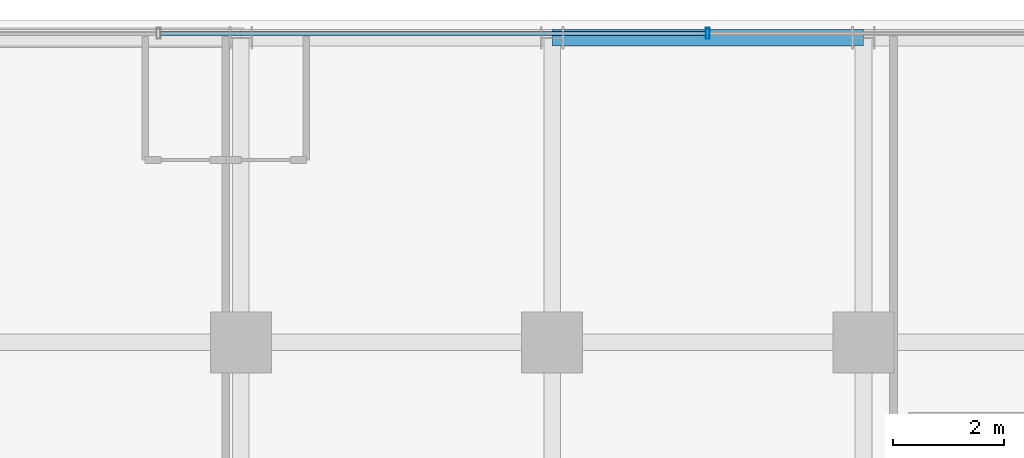
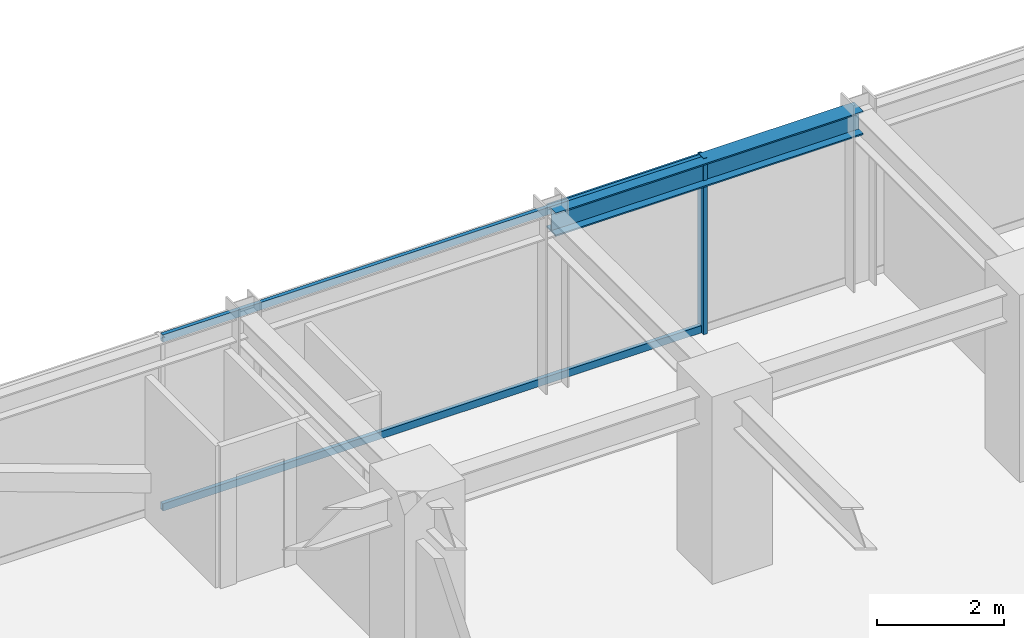
# One storey, part 24 of 36: 3 members, 1 beam, 1 element without a shape of its own.
"""IFC4 building model written with IfcOpenShell, lengths in metres."""

from ifc_helpers import new_model, si_unit, direction, frame, origin, origin_2d, place, context, subcontext, project, spatial, hollow_rectangle, i_section, extrude, source, transform, mapped, material, material_profile, profile_set, type_object, element, aggregate, save


model = new_model("IFC4")

# Units and contexts
model_context = context("Model", 3, precision=1e-05, world=origin(), true_north=direction((0.0, 1.0)))
body_context = subcontext(model_context, "Body", "Model", "MODEL_VIEW")
ifc_project = project(units=[si_unit("LENGTHUNIT", "METRE"), si_unit("AREAUNIT", "SQUARE_METRE"), si_unit("VOLUMEUNIT", "CUBIC_METRE"), si_unit("PLANEANGLEUNIT", "RADIAN"), si_unit("MASSUNIT", "GRAM", prefix="KILO")], contexts=[model_context])

# Site, building, storey
site_placement = place(None, origin())
site = spatial("IfcSite", under=ifc_project, at=site_placement, CompositionType="ELEMENT")
building_placement = place(site_placement, origin())
building = spatial("IfcBuilding", under=site, at=building_placement, Name="Nahalor Promenade Grand Hotel", CompositionType="ELEMENT")
storey_placement = place(building_placement, frame((0.0, 0.0, 170.89990234375)))
storey = spatial("IfcBuildingStorey", under=building, at=storey_placement, Name="L43", CompositionType="ELEMENT", Elevation=170.89990234375)

# Beam
ifc_material_1 = material(Name="Steel S355JR", Category="steel")
ifc_material_profile_1 = material_profile(ifc_material_1, i_section(OverallWidth=0.3, OverallDepth=0.45, WebThickness=0.014, FlangeThickness=0.026, at=origin_2d()), Name="HEB 450")
ifc_profile_set_1 = profile_set([ifc_material_profile_1], Name="Steel S355JR")
beam_type = type_object("IfcBeamType", Name="Beam-Spandrel-HEB450", PredefinedType="SPANDREL", material=ifc_profile_set_1)
shared_shape_1 = source(origin(), body_context, "Body", "SweptSolid", [
    extrude(i_section(OverallWidth=0.3, OverallDepth=0.45, WebThickness=0.014, FlangeThickness=0.026, at=origin_2d()), origin(), (0.0, 0.0, 1.0), 5.60009765625),
])
beam_placement = place(storey_placement, frame((-2.800048828125, 22.47998046875, 3.1650390625), z_axis=(1.0, 0.0, 0.0), x_axis=(0.0, 1.0, 0.0)))
element("IfcBeam", 1, at=beam_placement, inside=storey, type_object=beam_type, Name="BM-L43-SP-N-2", PredefinedType="SPANDREL", context=body_context, shape_type="MappedRepresentation", body=[
    mapped(shared_shape_1, transform((0.0, 0.0, 0.0), scale=1.0)),
])

# Curtain wall, members
ifc_material_2 = material(Name="Anodised Bronze Aluminium EN AW-6063 T6", Category="aluminium")
curtain_wall_type = type_object("IfcCurtainWallType", Name="CW3 Elliptical-Void Collar Unitised Curtain Wall", PredefinedType="USERDEFINED", material=ifc_material_2)
curtain_wall_placement = place(storey_placement, origin())
curtain_wall = element("IfcCurtainWall", 2, at=curtain_wall_placement, inside=storey, type_object=curtain_wall_type, Name="L43 Curtain Wall CW-L43-N-1", ObjectType="UNITISED_CURTAIN_WALL", PredefinedType="USERDEFINED")
ifc_material_profile_2 = material_profile(ifc_material_2, hollow_rectangle(XDim=0.07, YDim=0.2, WallThickness=0.005, at=origin_2d()), Name="CWM 70x200x5")
ifc_profile_set_2 = profile_set([ifc_material_profile_2], Name="Anodised Bronze Aluminium EN AW-6063 T6")
member_type_1 = type_object("IfcMemberType", Name="CWM3 Void Collar Mullion 70x200", PredefinedType="MULLION", material=ifc_profile_set_2)
shared_shape_2 = source(origin(), body_context, "Body", "SweptSolid", [
    extrude(hollow_rectangle(XDim=0.07, YDim=0.2, WallThickness=0.005, at=origin_2d()), origin(), (0.0, 0.0, 1.0), 3.39013671875),
])
member_1_placement = place(storey_placement, frame((0.0, 22.56005859375, 0.0), z_axis=(0.0, 0.0, 1.0), x_axis=(1.0, 0.0, 0.0)))
member_1 = element("IfcMember", 3, at=member_1_placement, type_object=member_type_1, Name="CW-L43-N-1 Mullion 2", PredefinedType="MULLION", context=body_context, shape_type="MappedRepresentation", body=[
    mapped(shared_shape_2, transform((0.0, 0.0, 0.0), scale=1.0)),
])
ifc_material_profile_3 = material_profile(ifc_material_2, hollow_rectangle(XDim=0.07, YDim=0.14, WallThickness=0.004, at=origin_2d()), Name="CWT 70x140x4")
ifc_profile_set_3 = profile_set([ifc_material_profile_3], Name="Anodised Bronze Aluminium EN AW-6063 T6")
member_type_2 = type_object("IfcMemberType", Name="CWT3 Void Collar Transom 70x140", PredefinedType="USERDEFINED", material=ifc_profile_set_3)
shared_shape_3 = source(origin(), body_context, "Body", "SweptSolid", [
    extrude(hollow_rectangle(XDim=0.07, YDim=0.14, WallThickness=0.004, at=origin_2d()), origin(), (0.0, 0.0, 1.0), 9.81005859375),
])
member_2_placement = place(storey_placement, frame((-9.844970703125, 22.56005859375, 0.070068359375), z_axis=(1.0, 0.0, 0.0), x_axis=(0.0, 1.0, 0.0)))
member_2 = element("IfcMember", 4, at=member_2_placement, type_object=member_type_2, Name="CW-L43-N-1 Transom 1-0", ObjectType="TRANSOM", PredefinedType="USERDEFINED", context=body_context, shape_type="MappedRepresentation", body=[
    mapped(shared_shape_3, transform((0.0, 0.0, 0.0), scale=1.0)),
])
member_3_placement = place(storey_placement, frame((-9.844970703125, 22.56005859375, 3.320068359375), z_axis=(1.0, 0.0, 0.0), x_axis=(0.0, 1.0, 0.0)))
member_3 = element("IfcMember", 5, at=member_3_placement, type_object=member_type_2, Name="CW-L43-N-1 Transom 1-1", ObjectType="TRANSOM", PredefinedType="USERDEFINED", context=body_context, shape_type="MappedRepresentation", body=[
    mapped(shared_shape_3, transform((0.0, 0.0, 0.0), scale=1.0)),
])
aggregate(curtain_wall, [member_1, member_2, member_3])

save(model, "model.ifc")
